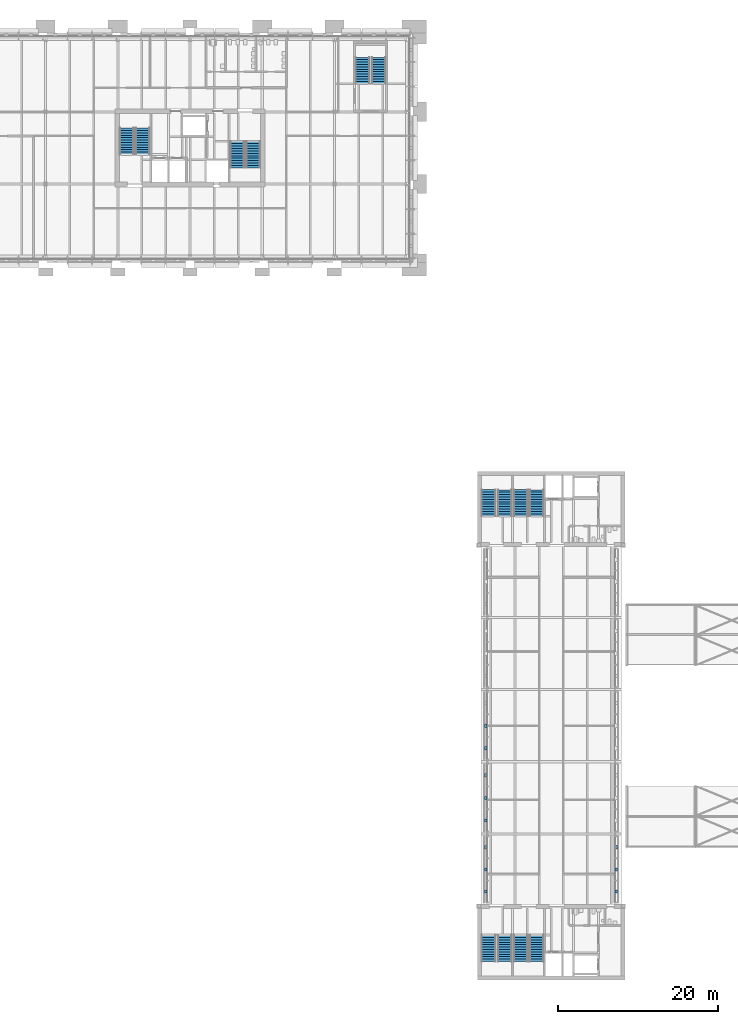
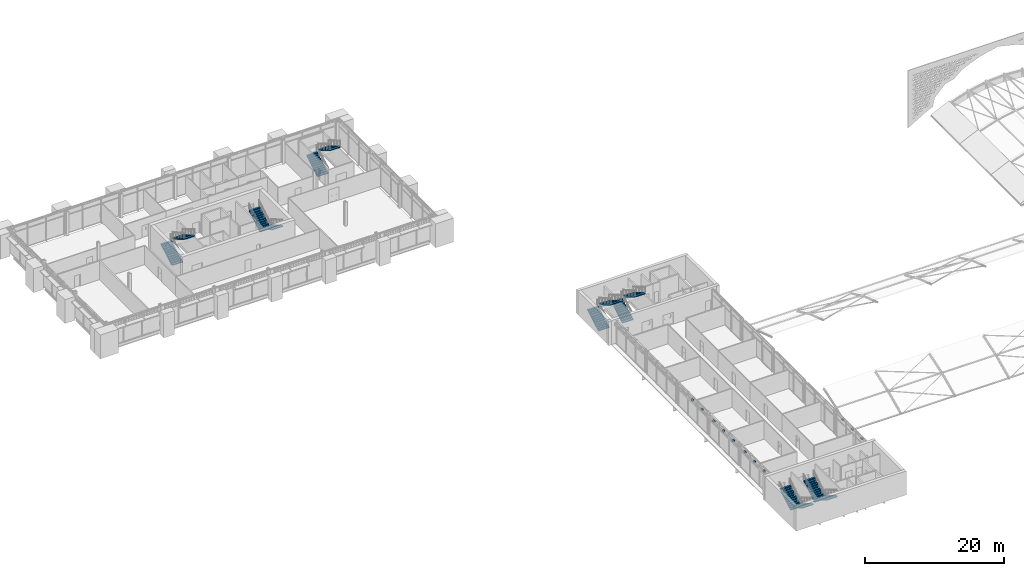
# One storey, part 29 of 54: 14 stair flights, 11 discrete accessories, 7 elements without a shape of their own.
"""IFC4 building model written with IfcOpenShell, lengths in metres."""

from ifc_helpers import new_model, si_unit, direction, frame, origin, origin_2d, place, context, subcontext, project, spatial, polyline, rectangle, outline, extrude, material, type_object, element, aggregate, save


model = new_model("IFC4")

# Units and contexts
model_context = context("Model", 3, precision=1e-05, world=origin(), true_north=direction((0.0, 1.0)))
body_context = subcontext(model_context, "Body", "Model", "MODEL_VIEW")
ifc_project = project(units=[si_unit("LENGTHUNIT", "METRE"), si_unit("AREAUNIT", "SQUARE_METRE"), si_unit("VOLUMEUNIT", "CUBIC_METRE"), si_unit("PLANEANGLEUNIT", "RADIAN"), si_unit("MASSUNIT", "GRAM", prefix="KILO")], contexts=[model_context])

# Site, building, storey
site_placement = place(None, origin())
site = spatial("IfcSite", under=ifc_project, at=site_placement, CompositionType="ELEMENT")
building_placement = place(site_placement, origin())
building = spatial("IfcBuilding", under=site, at=building_placement, Name="Baradari Gate Terminus", CompositionType="ELEMENT")
storey_placement = place(building_placement, frame((0.0, 0.0, 15.89990234375)))
storey = spatial("IfcBuildingStorey", under=building, at=storey_placement, Name="L03", CompositionType="ELEMENT", Elevation=15.89990234375)

# Stair, stair flights
ifc_material_1 = material(Name="Concrete C32/40", Category="concrete")
stair_type_1 = type_object("IfcStairType", Name="Exit stair ST-GN1 riser 175 x 1800", PredefinedType="HALF_TURN_STAIR", material=ifc_material_1)
stair_1_placement = place(storey_placement, origin())
stair_1 = element("IfcStair", 1, at=stair_1_placement, inside=storey, type_object=stair_type_1, Name="Stair ST-GN1 L03 to L04", PredefinedType="HALF_TURN_STAIR")
ifc_material_2 = material(Name="Concrete C32/40", Category="concrete")
stair_flight_type = type_object("IfcStairFlightType", Name="Stair flight 175/300 x 1800", PredefinedType="STRAIGHT", material=ifc_material_2)
stair_flight_1_placement = place(storey_placement, frame((73.199951171875, 84.60009765625, 0.0), z_axis=(0.0, 0.0, 1.0), x_axis=(0.0, 1.0, 0.0)))
stair_flight_1 = element("IfcStairFlight", 2, at=stair_flight_1_placement, type_object=stair_flight_type, Name="ST-GN1 flight 1", NumberOfRisers=12, NumberOfTreads=11, PredefinedType="STRAIGHT", RiserHeight=0.175, TreadLength=0.3, context=body_context, shape_type="SweptSolid", body=[
    extrude(outline(polyline([(0.0, 0.0), (0.0, 0.175048828125), (0.300048828125, 0.175048828125), (0.300048828125, 0.35009765625), (0.60009765625, 0.35009765625), (0.60009765625, 0.52490234375), (0.89990234375, 0.52490234375), (0.89990234375, 0.699951171875), (1.199951171875, 0.699951171875), (1.199951171875, 0.875), (1.5, 0.875), (1.5, 1.050048828125), (1.800048828125, 1.050048828125), (1.800048828125, 1.22509765625), (2.10009765625, 1.22509765625), (2.10009765625, 1.39990234375), (2.39990234375, 1.39990234375), (2.39990234375, 1.574951171875), (2.699951171875, 1.574951171875), (2.699951171875, 1.75), (3.0, 1.75), (3.0, 1.925048828125), (3.300048828125, 1.925048828125), (3.300048828125, 2.10009765625), (3.300048828125, 1.75146484375), (0.297607421875, 0.0), (0.0, 0.0)])), frame((0.0, 0.89990234375, 0.0), z_axis=(0.0, -1.0, 0.0), x_axis=(1.0, 0.0, 0.0)), (0.0, 0.0, 1.0), 1.800048828125),
])
stair_flight_2_placement = place(storey_placement, frame((75.199951171875, 87.89990234375, 2.10009765625), z_axis=(0.0, 0.0, 1.0), x_axis=(0.0, -1.0, 0.0)))
stair_flight_2 = element("IfcStairFlight", 3, at=stair_flight_2_placement, type_object=stair_flight_type, Name="ST-GN1 flight 2", NumberOfRisers=12, NumberOfTreads=11, PredefinedType="STRAIGHT", RiserHeight=0.175, TreadLength=0.3, context=body_context, shape_type="SweptSolid", body=[
    extrude(outline(polyline([(0.0, 0.0), (0.0, 0.175048828125), (0.300048828125, 0.175048828125), (0.300048828125, 0.35009765625), (0.60009765625, 0.35009765625), (0.60009765625, 0.52490234375), (0.89990234375, 0.52490234375), (0.89990234375, 0.699951171875), (1.199951171875, 0.699951171875), (1.199951171875, 0.875), (1.5, 0.875), (1.5, 1.050048828125), (1.800048828125, 1.050048828125), (1.800048828125, 1.22509765625), (2.10009765625, 1.22509765625), (2.10009765625, 1.39990234375), (2.39990234375, 1.39990234375), (2.39990234375, 1.574951171875), (2.699951171875, 1.574951171875), (2.699951171875, 1.75), (3.0, 1.75), (3.0, 1.925048828125), (3.300048828125, 1.925048828125), (3.300048828125, 2.10009765625), (3.300048828125, 1.75146484375), (0.297607421875, 0.0), (0.0, 0.0)])), frame((0.0, 0.89990234375, 0.0), z_axis=(0.0, -1.0, 0.0), x_axis=(1.0, 0.0, 0.0)), (0.0, 0.0, 1.0), 1.800048828125),
])
aggregate(stair_1, [stair_flight_1, stair_flight_2])

ifc_material_3 = material(Name="Concrete C32/40", Category="concrete")
stair_type_2 = type_object("IfcStairType", Name="Exit stair ST-GN2 riser 175 x 1800", PredefinedType="HALF_TURN_STAIR", material=ifc_material_3)
stair_2_placement = place(storey_placement, origin())
stair_2 = element("IfcStair", 4, at=stair_2_placement, inside=storey, type_object=stair_type_2, Name="Stair ST-GN2 L03 to L04", PredefinedType="HALF_TURN_STAIR")
stair_flight_3_placement = place(storey_placement, frame((77.199951171875, 84.60009765625, 0.0), z_axis=(0.0, 0.0, 1.0), x_axis=(0.0, 1.0, 0.0)))
stair_flight_3 = element("IfcStairFlight", 5, at=stair_flight_3_placement, type_object=stair_flight_type, Name="ST-GN2 flight 1", NumberOfRisers=12, NumberOfTreads=11, PredefinedType="STRAIGHT", RiserHeight=0.175, TreadLength=0.3, context=body_context, shape_type="SweptSolid", body=[
    extrude(outline(polyline([(0.0, 0.0), (0.0, 0.175048828125), (0.300048828125, 0.175048828125), (0.300048828125, 0.35009765625), (0.60009765625, 0.35009765625), (0.60009765625, 0.52490234375), (0.89990234375, 0.52490234375), (0.89990234375, 0.699951171875), (1.199951171875, 0.699951171875), (1.199951171875, 0.875), (1.5, 0.875), (1.5, 1.050048828125), (1.800048828125, 1.050048828125), (1.800048828125, 1.22509765625), (2.10009765625, 1.22509765625), (2.10009765625, 1.39990234375), (2.39990234375, 1.39990234375), (2.39990234375, 1.574951171875), (2.699951171875, 1.574951171875), (2.699951171875, 1.75), (3.0, 1.75), (3.0, 1.925048828125), (3.300048828125, 1.925048828125), (3.300048828125, 2.10009765625), (3.300048828125, 1.75146484375), (0.297607421875, 0.0), (0.0, 0.0)])), frame((0.0, 0.89990234375, 0.0), z_axis=(0.0, -1.0, 0.0), x_axis=(1.0, 0.0, 0.0)), (0.0, 0.0, 1.0), 1.800048828125),
])
stair_flight_4_placement = place(storey_placement, frame((79.199951171875, 87.89990234375, 2.10009765625), z_axis=(0.0, 0.0, 1.0), x_axis=(0.0, -1.0, 0.0)))
stair_flight_4 = element("IfcStairFlight", 6, at=stair_flight_4_placement, type_object=stair_flight_type, Name="ST-GN2 flight 2", NumberOfRisers=12, NumberOfTreads=11, PredefinedType="STRAIGHT", RiserHeight=0.175, TreadLength=0.3, context=body_context, shape_type="SweptSolid", body=[
    extrude(outline(polyline([(0.0, 0.0), (0.0, 0.175048828125), (0.300048828125, 0.175048828125), (0.300048828125, 0.35009765625), (0.60009765625, 0.35009765625), (0.60009765625, 0.52490234375), (0.89990234375, 0.52490234375), (0.89990234375, 0.699951171875), (1.199951171875, 0.699951171875), (1.199951171875, 0.875), (1.5, 0.875), (1.5, 1.050048828125), (1.800048828125, 1.050048828125), (1.800048828125, 1.22509765625), (2.10009765625, 1.22509765625), (2.10009765625, 1.39990234375), (2.39990234375, 1.39990234375), (2.39990234375, 1.574951171875), (2.699951171875, 1.574951171875), (2.699951171875, 1.75), (3.0, 1.75), (3.0, 1.925048828125), (3.300048828125, 1.925048828125), (3.300048828125, 2.10009765625), (3.300048828125, 1.75146484375), (0.297607421875, 0.0), (0.0, 0.0)])), frame((0.0, 0.89990234375, 0.0), z_axis=(0.0, -1.0, 0.0), x_axis=(1.0, 0.0, 0.0)), (0.0, 0.0, 1.0), 1.800048828125),
])
aggregate(stair_2, [stair_flight_3, stair_flight_4])

ifc_material_4 = material(Name="Concrete C32/40", Category="concrete")
stair_type_3 = type_object("IfcStairType", Name="Exit stair ST-GS1 riser 175 x 1800", PredefinedType="HALF_TURN_STAIR", material=ifc_material_4)
stair_3_placement = place(storey_placement, origin())
stair_3 = element("IfcStair", 7, at=stair_3_placement, inside=storey, type_object=stair_type_3, Name="Stair ST-GS1 L03 to L04", PredefinedType="HALF_TURN_STAIR")
stair_flight_5_placement = place(storey_placement, frame((75.199951171875, 32.39990234375, 0.0), z_axis=(0.0, 0.0, 1.0), x_axis=(0.0, -1.0, 0.0)))
stair_flight_5 = element("IfcStairFlight", 8, at=stair_flight_5_placement, type_object=stair_flight_type, Name="ST-GS1 flight 1", NumberOfRisers=12, NumberOfTreads=11, PredefinedType="STRAIGHT", RiserHeight=0.175, TreadLength=0.3, context=body_context, shape_type="SweptSolid", body=[
    extrude(outline(polyline([(0.0, 0.0), (0.0, 0.175048828125), (0.300048828125, 0.175048828125), (0.300048828125, 0.35009765625), (0.60009765625, 0.35009765625), (0.60009765625, 0.52490234375), (0.89990234375, 0.52490234375), (0.89990234375, 0.699951171875), (1.199951171875, 0.699951171875), (1.199951171875, 0.875), (1.5, 0.875), (1.5, 1.050048828125), (1.800048828125, 1.050048828125), (1.800048828125, 1.22509765625), (2.10009765625, 1.22509765625), (2.10009765625, 1.39990234375), (2.39990234375, 1.39990234375), (2.39990234375, 1.574951171875), (2.699951171875, 1.574951171875), (2.699951171875, 1.75), (3.0, 1.75), (3.0, 1.925048828125), (3.300048828125, 1.925048828125), (3.300048828125, 2.10009765625), (3.300048828125, 1.75146484375), (0.297607421875, 0.0), (0.0, 0.0)])), frame((0.0, 0.89990234375, 0.0), z_axis=(0.0, -1.0, 0.0), x_axis=(1.0, 0.0, 0.0)), (0.0, 0.0, 1.0), 1.800048828125),
])
stair_flight_6_placement = place(storey_placement, frame((73.199951171875, 29.10009765625, 2.10009765625), z_axis=(0.0, 0.0, 1.0), x_axis=(0.0, 1.0, 0.0)))
stair_flight_6 = element("IfcStairFlight", 9, at=stair_flight_6_placement, type_object=stair_flight_type, Name="ST-GS1 flight 2", NumberOfRisers=12, NumberOfTreads=11, PredefinedType="STRAIGHT", RiserHeight=0.175, TreadLength=0.3, context=body_context, shape_type="SweptSolid", body=[
    extrude(outline(polyline([(0.0, 0.0), (0.0, 0.175048828125), (0.300048828125, 0.175048828125), (0.300048828125, 0.35009765625), (0.60009765625, 0.35009765625), (0.60009765625, 0.52490234375), (0.89990234375, 0.52490234375), (0.89990234375, 0.699951171875), (1.199951171875, 0.699951171875), (1.199951171875, 0.875), (1.5, 0.875), (1.5, 1.050048828125), (1.800048828125, 1.050048828125), (1.800048828125, 1.22509765625), (2.10009765625, 1.22509765625), (2.10009765625, 1.39990234375), (2.39990234375, 1.39990234375), (2.39990234375, 1.574951171875), (2.699951171875, 1.574951171875), (2.699951171875, 1.75), (3.0, 1.75), (3.0, 1.925048828125), (3.300048828125, 1.925048828125), (3.300048828125, 2.10009765625), (3.300048828125, 1.75146484375), (0.297607421875, 0.0), (0.0, 0.0)])), frame((0.0, 0.89990234375, 0.0), z_axis=(0.0, -1.0, 0.0), x_axis=(1.0, 0.0, 0.0)), (0.0, 0.0, 1.0), 1.800048828125),
])
aggregate(stair_3, [stair_flight_5, stair_flight_6])

ifc_material_5 = material(Name="Concrete C32/40", Category="concrete")
stair_type_4 = type_object("IfcStairType", Name="Exit stair ST-GS2 riser 175 x 1800", PredefinedType="HALF_TURN_STAIR", material=ifc_material_5)
stair_4_placement = place(storey_placement, origin())
stair_4 = element("IfcStair", 10, at=stair_4_placement, inside=storey, type_object=stair_type_4, Name="Stair ST-GS2 L03 to L04", PredefinedType="HALF_TURN_STAIR")
stair_flight_7_placement = place(storey_placement, frame((79.199951171875, 32.39990234375, 0.0), z_axis=(0.0, 0.0, 1.0), x_axis=(0.0, -1.0, 0.0)))
stair_flight_7 = element("IfcStairFlight", 11, at=stair_flight_7_placement, type_object=stair_flight_type, Name="ST-GS2 flight 1", NumberOfRisers=12, NumberOfTreads=11, PredefinedType="STRAIGHT", RiserHeight=0.175, TreadLength=0.3, context=body_context, shape_type="SweptSolid", body=[
    extrude(outline(polyline([(0.0, 0.0), (0.0, 0.175048828125), (0.300048828125, 0.175048828125), (0.300048828125, 0.35009765625), (0.60009765625, 0.35009765625), (0.60009765625, 0.52490234375), (0.89990234375, 0.52490234375), (0.89990234375, 0.699951171875), (1.199951171875, 0.699951171875), (1.199951171875, 0.875), (1.5, 0.875), (1.5, 1.050048828125), (1.800048828125, 1.050048828125), (1.800048828125, 1.22509765625), (2.10009765625, 1.22509765625), (2.10009765625, 1.39990234375), (2.39990234375, 1.39990234375), (2.39990234375, 1.574951171875), (2.699951171875, 1.574951171875), (2.699951171875, 1.75), (3.0, 1.75), (3.0, 1.925048828125), (3.300048828125, 1.925048828125), (3.300048828125, 2.10009765625), (3.300048828125, 1.75146484375), (0.297607421875, 0.0), (0.0, 0.0)])), frame((0.0, 0.89990234375, 0.0), z_axis=(0.0, -1.0, 0.0), x_axis=(1.0, 0.0, 0.0)), (0.0, 0.0, 1.0), 1.800048828125),
])
stair_flight_8_placement = place(storey_placement, frame((77.199951171875, 29.10009765625, 2.10009765625), z_axis=(0.0, 0.0, 1.0), x_axis=(0.0, 1.0, 0.0)))
stair_flight_8 = element("IfcStairFlight", 12, at=stair_flight_8_placement, type_object=stair_flight_type, Name="ST-GS2 flight 2", NumberOfRisers=12, NumberOfTreads=11, PredefinedType="STRAIGHT", RiserHeight=0.175, TreadLength=0.3, context=body_context, shape_type="SweptSolid", body=[
    extrude(outline(polyline([(0.0, 0.0), (0.0, 0.175048828125), (0.300048828125, 0.175048828125), (0.300048828125, 0.35009765625), (0.60009765625, 0.35009765625), (0.60009765625, 0.52490234375), (0.89990234375, 0.52490234375), (0.89990234375, 0.699951171875), (1.199951171875, 0.699951171875), (1.199951171875, 0.875), (1.5, 0.875), (1.5, 1.050048828125), (1.800048828125, 1.050048828125), (1.800048828125, 1.22509765625), (2.10009765625, 1.22509765625), (2.10009765625, 1.39990234375), (2.39990234375, 1.39990234375), (2.39990234375, 1.574951171875), (2.699951171875, 1.574951171875), (2.699951171875, 1.75), (3.0, 1.75), (3.0, 1.925048828125), (3.300048828125, 1.925048828125), (3.300048828125, 2.10009765625), (3.300048828125, 1.75146484375), (0.297607421875, 0.0), (0.0, 0.0)])), frame((0.0, 0.89990234375, 0.0), z_axis=(0.0, -1.0, 0.0), x_axis=(1.0, 0.0, 0.0)), (0.0, 0.0, 1.0), 1.800048828125),
])
aggregate(stair_4, [stair_flight_7, stair_flight_8])

ifc_material_6 = material(Name="Concrete C32/40", Category="concrete")
stair_type_5 = type_object("IfcStairType", Name="Exit stair ST-T1 riser 175 x 1800", PredefinedType="HALF_TURN_STAIR", material=ifc_material_6)
stair_5_placement = place(storey_placement, origin())
stair_5 = element("IfcStair", 13, at=stair_5_placement, inside=storey, type_object=stair_type_5, Name="Stair ST-T1 L03 to L04", PredefinedType="HALF_TURN_STAIR")
stair_flight_9_placement = place(storey_placement, frame((28.125, 129.675048828125, 0.0), z_axis=(0.0, 0.0, 1.0), x_axis=(0.0, 1.0, 0.0)))
stair_flight_9 = element("IfcStairFlight", 14, at=stair_flight_9_placement, type_object=stair_flight_type, Name="ST-T1 flight 1", NumberOfRisers=12, NumberOfTreads=11, PredefinedType="STRAIGHT", RiserHeight=0.175, TreadLength=0.3, context=body_context, shape_type="SweptSolid", body=[
    extrude(outline(polyline([(0.0, 0.0), (0.0, 0.175048828125), (0.300048828125, 0.175048828125), (0.300048828125, 0.35009765625), (0.60009765625, 0.35009765625), (0.60009765625, 0.52490234375), (0.89990234375, 0.52490234375), (0.89990234375, 0.699951171875), (1.199951171875, 0.699951171875), (1.199951171875, 0.875), (1.5, 0.875), (1.5, 1.050048828125), (1.800048828125, 1.050048828125), (1.800048828125, 1.22509765625), (2.10009765625, 1.22509765625), (2.10009765625, 1.39990234375), (2.39990234375, 1.39990234375), (2.39990234375, 1.574951171875), (2.699951171875, 1.574951171875), (2.699951171875, 1.75), (3.0, 1.75), (3.0, 1.925048828125), (3.300048828125, 1.925048828125), (3.300048828125, 2.10009765625), (3.300048828125, 1.75146484375), (0.297607421875, 0.0), (0.0, 0.0)])), frame((0.0, 0.89990234375, 0.0), z_axis=(0.0, -1.0, 0.0), x_axis=(1.0, 0.0, 0.0)), (0.0, 0.0, 1.0), 1.800048828125),
])
stair_flight_10_placement = place(storey_placement, frame((30.125, 132.97509765625, 2.10009765625), z_axis=(0.0, 0.0, 1.0), x_axis=(0.0, -1.0, 0.0)))
stair_flight_10 = element("IfcStairFlight", 15, at=stair_flight_10_placement, type_object=stair_flight_type, Name="ST-T1 flight 2", NumberOfRisers=12, NumberOfTreads=11, PredefinedType="STRAIGHT", RiserHeight=0.175, TreadLength=0.3, context=body_context, shape_type="SweptSolid", body=[
    extrude(outline(polyline([(0.0, 0.0), (0.0, 0.175048828125), (0.300048828125, 0.175048828125), (0.300048828125, 0.35009765625), (0.60009765625, 0.35009765625), (0.60009765625, 0.52490234375), (0.89990234375, 0.52490234375), (0.89990234375, 0.699951171875), (1.199951171875, 0.699951171875), (1.199951171875, 0.875), (1.5, 0.875), (1.5, 1.050048828125), (1.800048828125, 1.050048828125), (1.800048828125, 1.22509765625), (2.10009765625, 1.22509765625), (2.10009765625, 1.39990234375), (2.39990234375, 1.39990234375), (2.39990234375, 1.574951171875), (2.699951171875, 1.574951171875), (2.699951171875, 1.75), (3.0, 1.75), (3.0, 1.925048828125), (3.300048828125, 1.925048828125), (3.300048828125, 2.10009765625), (3.300048828125, 1.75146484375), (0.297607421875, 0.0), (0.0, 0.0)])), frame((0.0, 0.89990234375, 0.0), z_axis=(0.0, -1.0, 0.0), x_axis=(1.0, 0.0, 0.0)), (0.0, 0.0, 1.0), 1.800048828125),
])
aggregate(stair_5, [stair_flight_9, stair_flight_10])

ifc_material_7 = material(Name="Concrete C32/40", Category="concrete")
stair_type_6 = type_object("IfcStairType", Name="Exit stair ST-T2 riser 175 x 1800", PredefinedType="HALF_TURN_STAIR", material=ifc_material_7)
stair_6_placement = place(storey_placement, origin())
stair_6 = element("IfcStair", 16, at=stair_6_placement, inside=storey, type_object=stair_type_6, Name="Stair ST-T2 L03 to L04", PredefinedType="HALF_TURN_STAIR")
stair_flight_11_placement = place(storey_placement, frame((43.875, 131.324951171875, 0.0), z_axis=(0.0, 0.0, 1.0), x_axis=(0.0, -1.0, 0.0)))
stair_flight_11 = element("IfcStairFlight", 17, at=stair_flight_11_placement, type_object=stair_flight_type, Name="ST-T2 flight 1", NumberOfRisers=12, NumberOfTreads=11, PredefinedType="STRAIGHT", RiserHeight=0.175, TreadLength=0.3, context=body_context, shape_type="SweptSolid", body=[
    extrude(outline(polyline([(0.0, 0.0), (0.0, 0.175048828125), (0.300048828125, 0.175048828125), (0.300048828125, 0.35009765625), (0.60009765625, 0.35009765625), (0.60009765625, 0.52490234375), (0.89990234375, 0.52490234375), (0.89990234375, 0.699951171875), (1.199951171875, 0.699951171875), (1.199951171875, 0.875), (1.5, 0.875), (1.5, 1.050048828125), (1.800048828125, 1.050048828125), (1.800048828125, 1.22509765625), (2.10009765625, 1.22509765625), (2.10009765625, 1.39990234375), (2.39990234375, 1.39990234375), (2.39990234375, 1.574951171875), (2.699951171875, 1.574951171875), (2.699951171875, 1.75), (3.0, 1.75), (3.0, 1.925048828125), (3.300048828125, 1.925048828125), (3.300048828125, 2.10009765625), (3.300048828125, 1.75146484375), (0.297607421875, 0.0), (0.0, 0.0)])), frame((0.0, 0.89990234375, 0.0), z_axis=(0.0, -1.0, 0.0), x_axis=(1.0, 0.0, 0.0)), (0.0, 0.0, 1.0), 1.800048828125),
])
stair_flight_12_placement = place(storey_placement, frame((41.875, 128.02490234375, 2.10009765625), z_axis=(0.0, 0.0, 1.0), x_axis=(0.0, 1.0, 0.0)))
stair_flight_12 = element("IfcStairFlight", 18, at=stair_flight_12_placement, type_object=stair_flight_type, Name="ST-T2 flight 2", NumberOfRisers=12, NumberOfTreads=11, PredefinedType="STRAIGHT", RiserHeight=0.175, TreadLength=0.3, context=body_context, shape_type="SweptSolid", body=[
    extrude(outline(polyline([(0.0, 0.0), (0.0, 0.175048828125), (0.300048828125, 0.175048828125), (0.300048828125, 0.35009765625), (0.60009765625, 0.35009765625), (0.60009765625, 0.52490234375), (0.89990234375, 0.52490234375), (0.89990234375, 0.699951171875), (1.199951171875, 0.699951171875), (1.199951171875, 0.875), (1.5, 0.875), (1.5, 1.050048828125), (1.800048828125, 1.050048828125), (1.800048828125, 1.22509765625), (2.10009765625, 1.22509765625), (2.10009765625, 1.39990234375), (2.39990234375, 1.39990234375), (2.39990234375, 1.574951171875), (2.699951171875, 1.574951171875), (2.699951171875, 1.75), (3.0, 1.75), (3.0, 1.925048828125), (3.300048828125, 1.925048828125), (3.300048828125, 2.10009765625), (3.300048828125, 1.75146484375), (0.297607421875, 0.0), (0.0, 0.0)])), frame((0.0, 0.89990234375, 0.0), z_axis=(0.0, -1.0, 0.0), x_axis=(1.0, 0.0, 0.0)), (0.0, 0.0, 1.0), 1.800048828125),
])
aggregate(stair_6, [stair_flight_11, stair_flight_12])

ifc_material_8 = material(Name="Concrete C32/40", Category="concrete")
stair_type_7 = type_object("IfcStairType", Name="Exit stair ST-T3 riser 175 x 1800", PredefinedType="HALF_TURN_STAIR", material=ifc_material_8)
stair_7_placement = place(storey_placement, origin())
stair_7 = element("IfcStair", 19, at=stair_7_placement, inside=storey, type_object=stair_type_7, Name="Stair ST-T3 L03 to L04", PredefinedType="HALF_TURN_STAIR")
stair_flight_13_placement = place(storey_placement, frame((57.5, 138.5, 0.0), z_axis=(0.0, 0.0, 1.0), x_axis=(0.0, 1.0, 0.0)))
stair_flight_13 = element("IfcStairFlight", 20, at=stair_flight_13_placement, type_object=stair_flight_type, Name="ST-T3 flight 1", NumberOfRisers=12, NumberOfTreads=11, PredefinedType="STRAIGHT", RiserHeight=0.175, TreadLength=0.3, context=body_context, shape_type="SweptSolid", body=[
    extrude(outline(polyline([(0.0, 0.0), (0.0, 0.175048828125), (0.300048828125, 0.175048828125), (0.300048828125, 0.35009765625), (0.60009765625, 0.35009765625), (0.60009765625, 0.52490234375), (0.89990234375, 0.52490234375), (0.89990234375, 0.699951171875), (1.199951171875, 0.699951171875), (1.199951171875, 0.875), (1.5, 0.875), (1.5, 1.050048828125), (1.800048828125, 1.050048828125), (1.800048828125, 1.22509765625), (2.10009765625, 1.22509765625), (2.10009765625, 1.39990234375), (2.39990234375, 1.39990234375), (2.39990234375, 1.574951171875), (2.699951171875, 1.574951171875), (2.699951171875, 1.75), (3.0, 1.75), (3.0, 1.925048828125), (3.300048828125, 1.925048828125), (3.300048828125, 2.10009765625), (3.300048828125, 1.75146484375), (0.297607421875, 0.0), (0.0, 0.0)])), frame((0.0, 0.89990234375, 0.0), z_axis=(0.0, -1.0, 0.0), x_axis=(1.0, 0.0, 0.0)), (0.0, 0.0, 1.0), 1.800048828125),
])
stair_flight_14_placement = place(storey_placement, frame((59.5, 141.800048828125, 2.10009765625), z_axis=(0.0, 0.0, 1.0), x_axis=(0.0, -1.0, 0.0)))
stair_flight_14 = element("IfcStairFlight", 21, at=stair_flight_14_placement, type_object=stair_flight_type, Name="ST-T3 flight 2", NumberOfRisers=12, NumberOfTreads=11, PredefinedType="STRAIGHT", RiserHeight=0.175, TreadLength=0.3, context=body_context, shape_type="SweptSolid", body=[
    extrude(outline(polyline([(0.0, 0.0), (0.0, 0.175048828125), (0.300048828125, 0.175048828125), (0.300048828125, 0.35009765625), (0.60009765625, 0.35009765625), (0.60009765625, 0.52490234375), (0.89990234375, 0.52490234375), (0.89990234375, 0.699951171875), (1.199951171875, 0.699951171875), (1.199951171875, 0.875), (1.5, 0.875), (1.5, 1.050048828125), (1.800048828125, 1.050048828125), (1.800048828125, 1.22509765625), (2.10009765625, 1.22509765625), (2.10009765625, 1.39990234375), (2.39990234375, 1.39990234375), (2.39990234375, 1.574951171875), (2.699951171875, 1.574951171875), (2.699951171875, 1.75), (3.0, 1.75), (3.0, 1.925048828125), (3.300048828125, 1.925048828125), (3.300048828125, 2.10009765625), (3.300048828125, 1.75146484375), (0.297607421875, 0.0), (0.0, 0.0)])), frame((0.0, 0.89990234375, 0.0), z_axis=(0.0, -1.0, 0.0), x_axis=(1.0, 0.0, 0.0)), (0.0, 0.0, 1.0), 1.800048828125),
])
aggregate(stair_7, [stair_flight_13, stair_flight_14])

# Discrete accessories
ifc_material_9 = material(Name="Stainless steel 316", Category="steel")
discrete_accessory_type = type_object("IfcDiscreteAccessoryType", Name="Jali screen bracket BK-2 stainless steel", PredefinedType="BRACKET", material=ifc_material_9)
for number, where, z_axis, x_axis, name in (
    (22, (72.8525390625, 37.811767578125, 3.455078125), (0.0, 0.0, 1.0), (-1.0, 0.0, 0.0), "Jali screen bracket BK-2 L03/GW1 bay 1"),
    (23, (72.8525390625, 40.574951171875, 3.455078125), (0.0, 0.0, 1.0), (-1.0, 0.0, 0.0), "Jali screen bracket BK-2 L03/GW1 bay 2"),
    (24, (72.8525390625, 43.33837890625, 3.455078125), (0.0, 0.0, 1.0), (-1.0, 0.0, 0.0), "Jali screen bracket BK-2 L03/GW1 bay 3"),
    (25, (72.8525390625, 46.686767578125, 3.455078125), (0.0, 0.0, 1.0), (-1.0, 0.0, 0.0), "Jali screen bracket BK-2 L03/GW2 bay 1"),
    (26, (72.8525390625, 49.5, 3.455078125), (0.0, 0.0, 1.0), (-1.0, 0.0, 0.0), "Jali screen bracket BK-2 L03/GW2 bay 2"),
    (27, (72.8525390625, 52.313232421875, 3.455078125), (0.0, 0.0, 1.0), (-1.0, 0.0, 0.0), "Jali screen bracket BK-2 L03/GW2 bay 3"),
    (28, (72.8525390625, 55.686767578125, 3.455078125), (0.0, 0.0, 1.0), (-1.0, 0.0, 0.0), "Jali screen bracket BK-2 L03/GW3 bay 1"),
    (29, (72.8525390625, 58.5, 3.455078125), (0.0, 0.0, 1.0), (-1.0, 0.0, 0.0), "Jali screen bracket BK-2 L03/GW3 bay 2"),
    (30, (89.1474609375, 37.811767578125, 3.455078125), (0.0, 0.0, 1.0), (1.0, 0.0, 0.0), "Jali screen bracket BK-2 L03/GE1 bay 1"),
    (31, (89.1474609375, 40.574951171875, 3.455078125), (0.0, 0.0, 1.0), (1.0, 0.0, 0.0), "Jali screen bracket BK-2 L03/GE1 bay 2"),
    (32, (89.1474609375, 43.33837890625, 3.455078125), (0.0, 0.0, 1.0), (1.0, 0.0, 0.0), "Jali screen bracket BK-2 L03/GE1 bay 3"),
):
    element("IfcDiscreteAccessory", number, at=place(storey_placement, frame(where, z_axis=z_axis, x_axis=x_axis)), inside=storey, type_object=discrete_accessory_type, Name=name, PredefinedType="BRACKET", context=body_context, shape_type="SweptSolid", body=[
        extrude(rectangle(XDim=0.304931640625, YDim=0.39990234375, at=origin_2d()), origin(), (0.0, 0.0, 1.0), 0.25),
    ])

save(model, "model.ifc")
